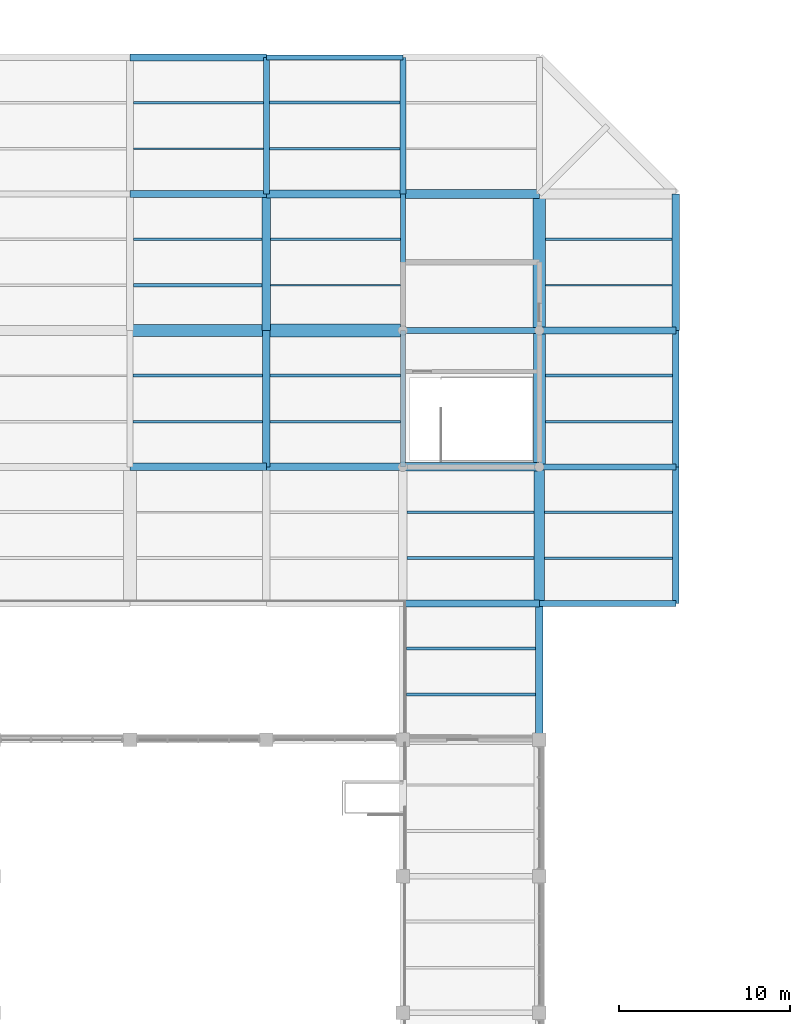
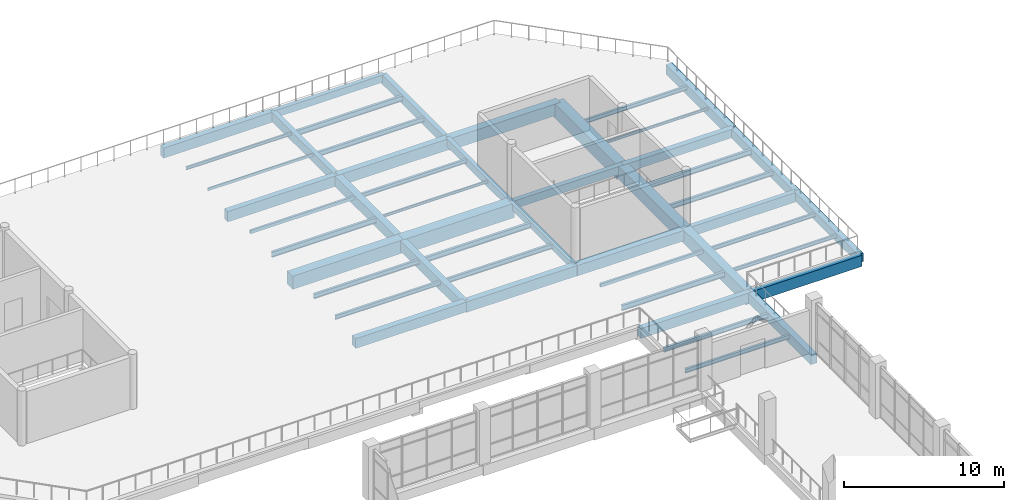
# One storey, part 48 of 84: 50 beams.
"""IFC4 building model written with IfcOpenShell, lengths in metres."""

import ifcopenshell
import ifcopenshell.guid

model = None  # the IFC model being written
_history = None  # IfcOwnerHistory: only IFC2X3 demands one
_inside = {}  # id of a spatial element -> (the spatial element, [elements in it])
_under = {}  # id of a project, library or spatial element -> (it, [spatial elements below it])
_declared = {}  # id of a project -> (the project, [libraries it declares])
_typed = {}  # id of a type object -> (the type object, [elements of that type])
_made_of = {}  # id of a material, layer set ... -> (it, [elements and type objects made of it])


def new_model(schema):
    """Start an empty IFC model of exactly this schema.

    Asked for "IFC4X3", IfcOpenShell would pick the latest addendum, in which some entities
    have other attributes; the version numbers below select the first issue.
    IFC2X3 requires an IfcOwnerHistory on every rooted entity: one is made here for all.
    """
    global model, _history
    if schema == "IFC4X3":
        model = ifcopenshell.file(schema_version=(4, 3, 0, 0))
    else:
        model = ifcopenshell.file(schema=schema)
    _inside.clear()
    _under.clear()
    _declared.clear()
    _typed.clear()
    _made_of.clear()
    _history = None
    if model.schema == "IFC2X3":
        org = make("IfcOrganization", Name="unknown")
        user = make(
            "IfcPersonAndOrganization",
            ThePerson=make("IfcPerson", FamilyName="unknown"),
            TheOrganization=org,
        )
        app = make(
            "IfcApplication",
            ApplicationDeveloper=org,
            Version="unknown",
            ApplicationFullName="unknown",
            ApplicationIdentifier="unknown",
        )
        _history = make(
            "IfcOwnerHistory",
            OwningUser=user,
            OwningApplication=app,
            ChangeAction="ADDED",
            CreationDate=0,
        )
    return model


def make(cls, **values):
    """One entity of the class cls with the attributes given. An attribute that is None is left unset."""
    return model.create_entity(
        cls, **{name: value for name, value in values.items() if value is not None}
    )


def rooted(cls, **values):
    """An entity with a GlobalId (a new one), such as an element, a storey or a relation."""
    return make(cls, GlobalId=ifcopenshell.guid.new(), OwnerHistory=_history, **values)


def si_unit(unit_type, name, prefix=None):
    """IfcSIUnit, for example si_unit("LENGTHUNIT", "METRE", prefix="MILLI")."""
    return make("IfcSIUnit", UnitType=unit_type, Prefix=prefix, Name=name)


def assignment(units):
    """IfcUnitAssignment: the units of a project."""
    return None if units is None else make("IfcUnitAssignment", Units=units)


def point(xyz):
    """IfcCartesianPoint."""
    return None if xyz is None else make("IfcCartesianPoint", Coordinates=xyz)


def direction(xyz):
    """IfcDirection."""
    return None if xyz is None else make("IfcDirection", DirectionRatios=xyz)


def frame(location, z_axis=None, x_axis=None):
    """IfcAxis2Placement3D, a coordinate frame: its origin and axes. An axis left out is left unset."""
    return make(
        "IfcAxis2Placement3D",
        Location=point(location),
        Axis=direction(z_axis),
        RefDirection=direction(x_axis),
    )


def frame_2d(location, x_axis=None):
    """IfcAxis2Placement2D, a coordinate frame in the plane: its origin and x axis."""
    return make(
        "IfcAxis2Placement2D", Location=point(location), RefDirection=direction(x_axis)
    )


def origin():
    """The frame at (0, 0, 0) with its axes left unset."""
    return frame((0.0, 0.0, 0.0))


def origin_2d():
    """The frame at (0, 0) in the plane with its x axis left unset."""
    return frame_2d((0.0, 0.0))


def place(relative_to, where):
    """IfcLocalPlacement: puts the frame where relative to a parent placement (None: the world)."""
    return make(
        "IfcLocalPlacement", PlacementRelTo=relative_to, RelativePlacement=where
    )


def context(
    kind, dimensions, precision=None, world=None, true_north=None, identifier=None
):
    """IfcGeometricRepresentationContext, for example the 3D "Model" context."""
    return make(
        "IfcGeometricRepresentationContext",
        ContextIdentifier=identifier,
        ContextType=kind,
        CoordinateSpaceDimension=dimensions,
        Precision=precision,
        WorldCoordinateSystem=world,
        TrueNorth=true_north,
    )


def subcontext(parent, identifier, kind, view, scale=None):
    """IfcGeometricRepresentationSubContext, for example "Body" below "Model"."""
    return make(
        "IfcGeometricRepresentationSubContext",
        ContextIdentifier=identifier,
        ContextType=kind,
        ParentContext=parent,
        TargetScale=scale,
        TargetView=view,
    )


def project(units=None, contexts=None):
    """IfcProject with its units and contexts."""
    return rooted(
        "IfcProject",
        Name="project",
        RepresentationContexts=contexts,
        UnitsInContext=assignment(units),
    )


def spatial(cls, under=None, at=None, **own):
    """A site, building, storey or space (cls), placed at a placement, below another one or the project."""
    s = rooted(cls, ObjectPlacement=at, **own)
    if under is not None:
        _under.setdefault(under.id(), (under, []))[1].append(s)
    return s


def profile(cls, at=None, kind="AREA", **sizes):
    """A parametric profile (cls). Its sizes go by their IFC names, for example OverallWidth=200.0."""
    return make(cls, ProfileType=kind, Position=at, **sizes)


def rectangle(**sizes):
    """IfcRectangleProfileDef."""
    return profile("IfcRectangleProfileDef", **sizes)


def hollow_rectangle(**sizes):
    """IfcRectangleHollowProfileDef."""
    return profile("IfcRectangleHollowProfileDef", **sizes)


def i_section(**sizes):
    """IfcIShapeProfileDef."""
    return profile("IfcIShapeProfileDef", **sizes)


def extrude(swept, where, along, depth):
    """IfcExtrudedAreaSolid: the profile swept, set in the frame where, extruded along a direction by depth."""
    return make(
        "IfcExtrudedAreaSolid",
        SweptArea=swept,
        Position=where,
        ExtrudedDirection=direction(along),
        Depth=depth,
    )


def shape(context_of_items, identifier, shape_type, items):
    """IfcShapeRepresentation: the items that make up one representation, for example the "Body"."""
    return make(
        "IfcShapeRepresentation",
        ContextOfItems=context_of_items,
        RepresentationIdentifier=identifier,
        RepresentationType=shape_type,
        Items=items,
    )


def material(Name=None, Category=None):
    """IfcMaterial."""
    return make("IfcMaterial", Name=Name, Category=Category)


def material_profile(
    of_material, cross_section, Name=None, Category=None, Priority=None
):
    """IfcMaterialProfile: a cross section and its material."""
    return make(
        "IfcMaterialProfile",
        Name=Name,
        Material=of_material,
        Profile=cross_section,
        Priority=Priority,
        Category=Category,
    )


def profile_set(profiles, Name=None, composite=None):
    """IfcMaterialProfileSet."""
    return make(
        "IfcMaterialProfileSet",
        Name=Name,
        MaterialProfiles=profiles,
        CompositeProfile=composite,
    )


def made_of(thing, what):
    """Note that an element or type object is made of a material, layer set ...; save() writes the relation."""
    if what is not None:
        _made_of.setdefault(what.id(), (what, []))[1].append(thing)
    return thing


def type_object(cls, material=None, **own):
    """A type object (cls), such as IfcWallType, which elements share."""
    return made_of(rooted(cls, **own), material)


def element(
    cls,
    number,
    at=None,
    inside=None,
    cuts=None,
    type_object=None,
    material=None,
    context=None,
    identifier="Body",
    shape_type=None,
    held_by="IfcProductDefinitionShape",
    body=None,
    shapes=None,
    **own,
):
    """One element of the class cls, such as IfcWall. Its Tag is "e" and its number.

    at: its placement. inside: the storey or other place that contains it. cuts: it is an
    opening in that element (IfcRelVoidsElement). A single representation is given by context,
    identifier, shape_type and body (its items); several are given by shapes. held_by: the class
    of the entity that holds the representations. save() writes the other relations.
    """
    e = rooted(cls, Tag="e%d" % number, ObjectPlacement=at, **own)
    if body is not None:
        shapes = [shape(context, identifier, shape_type, body)]
    if shapes is not None:
        e.Representation = make(held_by, Representations=shapes)
    if inside is not None:
        _inside.setdefault(inside.id(), (inside, []))[1].append(e)
    if cuts is not None:
        rooted(
            "IfcRelVoidsElement", RelatingBuildingElement=cuts, RelatedOpeningElement=e
        )
    if type_object is not None:
        _typed.setdefault(type_object.id(), (type_object, []))[1].append(e)
    return made_of(e, material)


def aggregate(whole, parts):
    """IfcRelAggregates: a whole, such as a stair, and the parts it consists of."""
    return rooted("IfcRelAggregates", RelatingObject=whole, RelatedObjects=parts)


def save(model, path):
    """Write the relations noted so far, then the file.

    IfcRelAggregates (storeys below a building ...), IfcRelContainedInSpatialStructure (elements
    in a storey), IfcRelDefinesByType, IfcRelAssociatesMaterial and IfcRelDeclares: one each for
    every whole, place, type object, material and project.
    """
    for whole, parts in _under.values():
        aggregate(whole, parts)
    for where, things in _inside.values():
        rooted(
            "IfcRelContainedInSpatialStructure",
            RelatedElements=things,
            RelatingStructure=where,
        )
    for kind, things in _typed.values():
        rooted("IfcRelDefinesByType", RelatedObjects=things, RelatingType=kind)
    for what, things in _made_of.values():
        rooted("IfcRelAssociatesMaterial", RelatedObjects=things, RelatingMaterial=what)
    for by, libraries in _declared.values():
        rooted("IfcRelDeclares", RelatingContext=by, RelatedDefinitions=libraries)
    model.write(path)


model = new_model("IFC4")

# Units and contexts
model_context = context("Model", 3, precision=1e-05, world=origin(), true_north=direction((0.0, 1.0)))
body_context = subcontext(model_context, "Body", "Model", "MODEL_VIEW")
ifc_project = project(units=[si_unit("LENGTHUNIT", "METRE"), si_unit("AREAUNIT", "SQUARE_METRE"), si_unit("VOLUMEUNIT", "CUBIC_METRE"), si_unit("PLANEANGLEUNIT", "RADIAN"), si_unit("MASSUNIT", "GRAM", prefix="KILO")], contexts=[model_context])

# Site, building, storey
site_placement = place(None, origin())
site = spatial("IfcSite", under=ifc_project, at=site_placement, CompositionType="ELEMENT")
building_placement = place(site_placement, origin())
building = spatial("IfcBuilding", under=site, at=building_placement, Name="Tenunan Teduh Sports Hall", CompositionType="ELEMENT")
storey_placement = place(building_placement, frame((0.0, 0.0, 10.800048828125)))
storey = spatial("IfcBuildingStorey", under=building, at=storey_placement, Name="L02", CompositionType="ELEMENT", Elevation=10.800048828125)

# Beams
ifc_material_1 = material(Name="Concrete C40/50", Category="concrete")
ifc_material_profile_1 = material_profile(ifc_material_1, rectangle(XDim=0.300048828125, YDim=0.5, at=origin_2d()), Name="RCB 300x500")
ifc_profile_set_1 = profile_set([ifc_material_profile_1], Name="Concrete C40/50")
beam_type_1 = type_object("IfcBeamType", Name="BM-RC-300x500", PredefinedType="BEAM", material=ifc_profile_set_1)
beam_1_placement = place(storey_placement, frame((146.0, 94.0, -0.510009765625), z_axis=(0.0, 1.0, 0.0), x_axis=(-1.0, 0.0, 0.0)))
element("IfcBeam", 1, at=beam_1_placement, inside=storey, type_object=beam_type_1, Name="BM-B-01-L02-1658", PredefinedType="BEAM", context=body_context, shape_type="SweptSolid", body=[
    extrude(rectangle(XDim=0.300048828125, YDim=0.5, at=origin_2d()), origin(), (0.0, 0.0, 1.0), 8.0),
])
ifc_material_2 = material(Name="Concrete C40/50", Category="concrete")
ifc_material_profile_2 = material_profile(ifc_material_2, rectangle(XDim=0.300048828125, YDim=0.550048828125, at=origin_2d()), Name="RCB 300x550")
ifc_profile_set_2 = profile_set([ifc_material_profile_2], Name="Concrete C40/50")
beam_type_2 = type_object("IfcBeamType", Name="BM-RC-300x550", PredefinedType="BEAM", material=ifc_profile_set_2)
beam_2_placement = place(storey_placement, frame((138.0, 118.0, -0.53515625), z_axis=(1.0, 0.0, 0.0), x_axis=(0.0, 1.0, 0.0)))
element("IfcBeam", 2, at=beam_2_placement, inside=storey, type_object=beam_type_2, Name="BM-B-02-L02-1569", PredefinedType="BEAM", context=body_context, shape_type="SweptSolid", body=[
    extrude(rectangle(XDim=0.300048828125, YDim=0.550048828125, at=origin_2d()), origin(), (0.0, 0.0, 1.0), 8.0),
])
ifc_material_3 = material(Name="Concrete C40/50", Category="concrete")
ifc_material_profile_3 = material_profile(ifc_material_3, rectangle(XDim=0.300048828125, YDim=0.60009765625, at=origin_2d()), Name="RCB 300x600")
ifc_profile_set_3 = profile_set([ifc_material_profile_3], Name="Concrete C40/50")
beam_type_3 = type_object("IfcBeamType", Name="BM-RC-300x600", PredefinedType="BEAM", material=ifc_profile_set_3)
beam_3_placement = place(storey_placement, frame((146.0, 102.0, -0.56005859375), z_axis=(0.0, 1.0, 0.0), x_axis=(-1.0, 0.0, 0.0)))
element("IfcBeam", 3, at=beam_3_placement, inside=storey, type_object=beam_type_3, Name="BM-B-03-L02-1659", PredefinedType="BEAM", context=body_context, shape_type="SweptSolid", body=[
    extrude(rectangle(XDim=0.300048828125, YDim=0.60009765625, at=origin_2d()), origin(), (0.0, 0.0, 1.0), 8.0),
])
ifc_material_4 = material(Name="Concrete C40/50", Category="concrete")
ifc_material_profile_4 = material_profile(ifc_material_4, rectangle(XDim=0.35009765625, YDim=0.60009765625, at=origin_2d()), Name="RCB 350x600")
ifc_profile_set_4 = profile_set([ifc_material_profile_4], Name="Concrete C40/50")
beam_type_4 = type_object("IfcBeamType", Name="BM-RC-350x600", PredefinedType="BEAM", material=ifc_profile_set_4)
beam_4_placement = place(storey_placement, frame((146.0, 102.0, -0.56005859375), z_axis=(1.0, 0.0, 0.0), x_axis=(0.0, 1.0, 0.0)))
element("IfcBeam", 4, at=beam_4_placement, inside=storey, type_object=beam_type_4, Name="BM-B-04-L02-1539", PredefinedType="BEAM", context=body_context, shape_type="SweptSolid", body=[
    extrude(rectangle(XDim=0.35009765625, YDim=0.60009765625, at=origin_2d()), origin(), (0.0, 0.0, 1.0), 8.0),
])
ifc_material_5 = material(Name="Concrete C40/50", Category="concrete")
ifc_material_profile_5 = material_profile(ifc_material_5, rectangle(XDim=0.35009765625, YDim=0.699951171875, at=origin_2d()), Name="RCB 350x700")
ifc_profile_set_5 = profile_set([ifc_material_profile_5], Name="Concrete C40/50")
beam_type_5 = type_object("IfcBeamType", Name="BM-RC-350x700", PredefinedType="BEAM", material=ifc_profile_set_5)
beam_5_placement = place(storey_placement, frame((146.0, 110.0, -0.610107421875), z_axis=(0.0, 1.0, 0.0), x_axis=(-1.0, 0.0, 0.0)))
element("IfcBeam", 5, at=beam_5_placement, inside=storey, type_object=beam_type_5, Name="BM-B-06-L02-1660", PredefinedType="BEAM", context=body_context, shape_type="SweptSolid", body=[
    extrude(rectangle(XDim=0.35009765625, YDim=0.699951171875, at=origin_2d()), origin(), (0.0, 0.0, 1.0), 8.0),
])
ifc_material_6 = material(Name="Concrete C40/50", Category="concrete")
ifc_material_profile_6 = material_profile(ifc_material_6, rectangle(XDim=0.39990234375, YDim=0.64990234375, at=origin_2d()), Name="RCB 400x650")
ifc_profile_set_6 = profile_set([ifc_material_profile_6], Name="Concrete C40/50")
beam_type_6 = type_object("IfcBeamType", Name="BM-RC-400x650", PredefinedType="BEAM", material=ifc_profile_set_6)
for number, where, z_axis, x_axis, name in (
    (6, (154.0, 102.0, -0.5849609375), (1.0, 0.0, 0.0), (0.0, 1.0, 0.0), "BM-B-07-L02-1540"),
    (7, (162.0, 86.0, -0.5849609375), (0.0, 1.0, 0.0), (-1.0, 0.0, 0.0), "BM-B-07-L02-1669"),
):
    element("IfcBeam", number, at=place(storey_placement, frame(where, z_axis=z_axis, x_axis=x_axis)), inside=storey, type_object=beam_type_6, Name=name, PredefinedType="BEAM", context=body_context, shape_type="SweptSolid", body=[
        extrude(rectangle(XDim=0.39990234375, YDim=0.64990234375, at=origin_2d()), origin(), (0.0, 0.0, 1.0), 8.0),
    ])
ifc_material_7 = material(Name="Concrete C40/50", Category="concrete")
ifc_material_profile_7 = material_profile(ifc_material_7, rectangle(XDim=0.39990234375, YDim=0.699951171875, at=origin_2d()), Name="RCB 400x700")
ifc_profile_set_7 = profile_set([ifc_material_profile_7], Name="Concrete C40/50")
beam_type_7 = type_object("IfcBeamType", Name="BM-RC-400x700", PredefinedType="BEAM", material=ifc_profile_set_7)
beam_6_placement = place(storey_placement, frame((162.0, 94.0, -0.610107421875), z_axis=(0.0, 1.0, 0.0), x_axis=(-1.0, 0.0, 0.0)))
element("IfcBeam", 8, at=beam_6_placement, inside=storey, type_object=beam_type_7, Name="BM-B-08-L02-1670", PredefinedType="BEAM", context=body_context, shape_type="SweptSolid", body=[
    extrude(rectangle(XDim=0.39990234375, YDim=0.699951171875, at=origin_2d()), origin(), (0.0, 0.0, 1.0), 8.0),
])
ifc_material_8 = material(Name="Concrete C40/50", Category="concrete")
ifc_material_profile_8 = material_profile(ifc_material_8, rectangle(XDim=0.39990234375, YDim=0.75, at=origin_2d()), Name="RCB 400x750")
ifc_profile_set_8 = profile_set([ifc_material_profile_8], Name="Concrete C40/50")
beam_type_8 = type_object("IfcBeamType", Name="BM-RC-400x750", PredefinedType="BEAM", material=ifc_profile_set_8)
beam_7_placement = place(storey_placement, frame((146.0, 86.0, -0.635009765625), z_axis=(1.0, 0.0, 0.0), x_axis=(0.0, 1.0, 0.0)))
element("IfcBeam", 9, at=beam_7_placement, inside=storey, type_object=beam_type_8, Name="BM-B-09-L02-1505", PredefinedType="BEAM", context=body_context, shape_type="SweptSolid", body=[
    extrude(rectangle(XDim=0.39990234375, YDim=0.75, at=origin_2d()), origin(), (0.0, 0.0, 1.0), 8.0),
])
ifc_material_9 = material(Name="Concrete C40/50", Category="concrete")
ifc_material_profile_9 = material_profile(ifc_material_9, rectangle(XDim=0.39990234375, YDim=0.800048828125, at=origin_2d()), Name="RCB 400x800")
ifc_profile_set_9 = profile_set([ifc_material_profile_9], Name="Concrete C40/50")
beam_type_9 = type_object("IfcBeamType", Name="BM-RC-400x800", PredefinedType="BEAM", material=ifc_profile_set_9)
beam_8_placement = place(storey_placement, frame((130.0, 110.0, -0.66015625), z_axis=(1.0, 0.0, 0.0), x_axis=(0.0, 1.0, 0.0)))
element("IfcBeam", 10, at=beam_8_placement, inside=storey, type_object=beam_type_9, Name="BM-B-10-L02-1554", PredefinedType="BEAM", context=body_context, shape_type="SweptSolid", body=[
    extrude(rectangle(XDim=0.39990234375, YDim=0.800048828125, at=origin_2d()), origin(), (0.0, 0.0, 1.0), 8.0),
])
ifc_material_10 = material(Name="Concrete C40/50", Category="concrete")
ifc_material_profile_10 = material_profile(ifc_material_10, rectangle(XDim=0.449951171875, YDim=0.75, at=origin_2d()), Name="RCB 450x750")
ifc_profile_set_10 = profile_set([ifc_material_profile_10], Name="Concrete C40/50")
beam_type_10 = type_object("IfcBeamType", Name="BM-RC-450x750", PredefinedType="BEAM", material=ifc_profile_set_10)
for number, where, z_axis, x_axis, name in (
    (11, (154.0, 78.0, -0.635009765625), (0.0, 1.0, 0.0), (-1.0, 0.0, 0.0), "BM-B-11-L02-0614"),
    (12, (130.0, 94.0, -0.635009765625), (1.0, 0.0, 0.0), (0.0, 1.0, 0.0), "BM-B-11-L02-1520"),
    (13, (162.0, 102.0, -0.635009765625), (0.0, 1.0, 0.0), (-1.0, 0.0, 0.0), "BM-B-11-L02-1671"),
):
    element("IfcBeam", number, at=place(storey_placement, frame(where, z_axis=z_axis, x_axis=x_axis)), inside=storey, type_object=beam_type_10, Name=name, PredefinedType="BEAM", context=body_context, shape_type="SweptSolid", body=[
        extrude(rectangle(XDim=0.449951171875, YDim=0.75, at=origin_2d()), origin(), (0.0, 0.0, 1.0), 8.0),
    ])
ifc_material_11 = material(Name="Concrete C40/50", Category="concrete")
ifc_material_profile_11 = material_profile(ifc_material_11, rectangle(XDim=0.449951171875, YDim=0.800048828125, at=origin_2d()), Name="RCB 450x800")
ifc_profile_set_11 = profile_set([ifc_material_profile_11], Name="Concrete C40/50")
beam_type_11 = type_object("IfcBeamType", Name="BM-RC-450x800", PredefinedType="BEAM", material=ifc_profile_set_11)
for number, where, z_axis, x_axis, name in (
    (14, (138.0, 94.0, -0.66015625), (1.0, 0.0, 0.0), (0.0, 1.0, 0.0), "BM-B-12-L02-1521"),
    (15, (138.0, 94.0, -0.66015625), (0.0, 1.0, 0.0), (-1.0, 0.0, 0.0), "BM-B-12-L02-1650"),
):
    element("IfcBeam", number, at=place(storey_placement, frame(where, z_axis=z_axis, x_axis=x_axis)), inside=storey, type_object=beam_type_11, Name=name, PredefinedType="BEAM", context=body_context, shape_type="SweptSolid", body=[
        extrude(rectangle(XDim=0.449951171875, YDim=0.800048828125, at=origin_2d()), origin(), (0.0, 0.0, 1.0), 8.0),
    ])
ifc_material_12 = material(Name="Concrete C40/50", Category="concrete")
ifc_material_profile_12 = material_profile(ifc_material_12, rectangle(XDim=0.449951171875, YDim=0.85009765625, at=origin_2d()), Name="RCB 450x850")
ifc_profile_set_12 = profile_set([ifc_material_profile_12], Name="Concrete C40/50")
beam_type_12 = type_object("IfcBeamType", Name="BM-RC-450x850", PredefinedType="BEAM", material=ifc_profile_set_12)
beam_9_placement = place(storey_placement, frame((138.0, 110.0, -0.68505859375), z_axis=(1.0, 0.0, 0.0), x_axis=(0.0, 1.0, 0.0)))
element("IfcBeam", 16, at=beam_9_placement, inside=storey, type_object=beam_type_12, Name="BM-B-13-L02-1555", PredefinedType="BEAM", context=body_context, shape_type="SweptSolid", body=[
    extrude(rectangle(XDim=0.449951171875, YDim=0.85009765625, at=origin_2d()), origin(), (0.0, 0.0, 1.0), 8.0),
])
ifc_material_13 = material(Name="Concrete C40/50", Category="concrete")
ifc_material_profile_13 = material_profile(ifc_material_13, rectangle(XDim=0.5, YDim=0.800048828125, at=origin_2d()), Name="RCB 500x800")
ifc_profile_set_13 = profile_set([ifc_material_profile_13], Name="Concrete C40/50")
beam_type_13 = type_object("IfcBeamType", Name="BM-RC-500x800", PredefinedType="BEAM", material=ifc_profile_set_13)
for number, where, z_axis, x_axis, name in (
    (17, (146.0, 94.0, -0.66015625), (1.0, 0.0, 0.0), (0.0, 1.0, 0.0), "BM-B-14-L02-1522"),
    (18, (138.0, 102.0, -0.66015625), (0.0, 1.0, 0.0), (-1.0, 0.0, 0.0), "BM-B-14-L02-1651"),
):
    element("IfcBeam", number, at=place(storey_placement, frame(where, z_axis=z_axis, x_axis=x_axis)), inside=storey, type_object=beam_type_13, Name=name, PredefinedType="BEAM", context=body_context, shape_type="SweptSolid", body=[
        extrude(rectangle(XDim=0.5, YDim=0.800048828125, at=origin_2d()), origin(), (0.0, 0.0, 1.0), 8.0),
    ])
ifc_material_14 = material(Name="Concrete C40/50", Category="concrete")
ifc_material_profile_14 = material_profile(ifc_material_14, rectangle(XDim=0.550048828125, YDim=0.89990234375, at=origin_2d()), Name="RCB 550x900")
ifc_profile_set_14 = profile_set([ifc_material_profile_14], Name="Concrete C40/50")
beam_type_14 = type_object("IfcBeamType", Name="BM-RC-550x900", PredefinedType="BEAM", material=ifc_profile_set_14)
beam_10_placement = place(storey_placement, frame((146.0, 110.0, -0.7099609375), z_axis=(1.0, 0.0, 0.0), x_axis=(0.0, 1.0, 0.0)))
element("IfcBeam", 19, at=beam_10_placement, inside=storey, type_object=beam_type_14, Name="BM-B-16-L02-1556", PredefinedType="BEAM", context=body_context, shape_type="SweptSolid", body=[
    extrude(rectangle(XDim=0.550048828125, YDim=0.89990234375, at=origin_2d()), origin(), (0.0, 0.0, 1.0), 8.0),
])
ifc_material_15 = material(Name="Concrete C40/50", Category="concrete")
ifc_material_profile_15 = material_profile(ifc_material_15, rectangle(XDim=0.60009765625, YDim=1.0, at=origin_2d()), Name="RCB 600x1000")
ifc_profile_set_15 = profile_set([ifc_material_profile_15], Name="Concrete C40/50")
beam_type_15 = type_object("IfcBeamType", Name="BM-RC-600x1000", PredefinedType="BEAM", material=ifc_profile_set_15)
beam_11_placement = place(storey_placement, frame((154.0, 86.0, -0.760009765625), z_axis=(0.0, 1.0, 0.0), x_axis=(-1.0, 0.0, 0.0)))
element("IfcBeam", 20, at=beam_11_placement, inside=storey, type_object=beam_type_15, Name="BM-B-18-L02-1665", PredefinedType="BEAM", context=body_context, shape_type="SweptSolid", body=[
    extrude(rectangle(XDim=0.60009765625, YDim=1.0, at=origin_2d()), origin(), (0.0, 0.0, 1.0), 8.0),
])
ifc_material_16 = material(Name="Concrete C40/50", Category="concrete")
ifc_material_profile_16 = material_profile(ifc_material_16, rectangle(XDim=0.699951171875, YDim=1.0, at=origin_2d()), Name="RCB 700x1000")
ifc_profile_set_16 = profile_set([ifc_material_profile_16], Name="Concrete C40/50")
beam_type_16 = type_object("IfcBeamType", Name="BM-RC-700x1000", PredefinedType="SPANDREL", material=ifc_profile_set_16)
for number, where, z_axis, x_axis, name in (
    (21, (130.0, 102.0, -0.760009765625), (1.0, 0.0, 0.0), (0.0, 1.0, 0.0), "BM-B-19-L02-1537"),
    (22, (154.0, 94.0, -0.760009765625), (0.0, 1.0, 0.0), (-1.0, 0.0, 0.0), "BM-B-19-L02-1666"),
):
    element("IfcBeam", number, at=place(storey_placement, frame(where, z_axis=z_axis, x_axis=x_axis)), inside=storey, type_object=beam_type_16, Name=name, PredefinedType="SPANDREL", context=body_context, shape_type="SweptSolid", body=[
        extrude(rectangle(XDim=0.699951171875, YDim=1.0, at=origin_2d()), origin(), (0.0, 0.0, 1.0), 8.0),
    ])
ifc_material_17 = material(Name="Concrete C40/50", Category="concrete")
ifc_material_profile_17 = material_profile(ifc_material_17, rectangle(XDim=0.75, YDim=1.10009765625, at=origin_2d()), Name="RCB 750x1100")
ifc_profile_set_17 = profile_set([ifc_material_profile_17], Name="Concrete C40/50")
beam_type_17 = type_object("IfcBeamType", Name="BM-RC-750x1100", PredefinedType="SPANDREL", material=ifc_profile_set_17)
for number, where, z_axis, x_axis, name in (
    (23, (138.0, 102.0, -0.81005859375), (1.0, 0.0, 0.0), (0.0, 1.0, 0.0), "BM-B-20-L02-1538"),
    (24, (154.0, 102.0, -0.81005859375), (0.0, 1.0, 0.0), (-1.0, 0.0, 0.0), "BM-B-20-L02-1667"),
):
    element("IfcBeam", number, at=place(storey_placement, frame(where, z_axis=z_axis, x_axis=x_axis)), inside=storey, type_object=beam_type_17, Name=name, PredefinedType="SPANDREL", context=body_context, shape_type="SweptSolid", body=[
        extrude(rectangle(XDim=0.75, YDim=1.10009765625, at=origin_2d()), origin(), (0.0, 0.0, 1.0), 8.0),
    ])
ifc_material_18 = material(Name="Concrete C40/50", Category="concrete")
ifc_material_profile_18 = material_profile(ifc_material_18, rectangle(XDim=0.35009765625, YDim=0.85009765625, at=origin_2d()), Name="SPB 350x850")
ifc_profile_set_18 = profile_set([ifc_material_profile_18], Name="Concrete C40/50")
beam_type_18 = type_object("IfcBeamType", Name="BM-SP-350x850", PredefinedType="SPANDREL", material=ifc_profile_set_18)
beam_12_placement = place(storey_placement, frame((154.0, 86.0, -0.68505859375), z_axis=(1.0, 0.0, 0.0), x_axis=(0.0, 1.0, 0.0)))
element("IfcBeam", 25, at=beam_12_placement, inside=storey, type_object=beam_type_18, Name="BM-SP-02-L02-1506", PredefinedType="SPANDREL", context=body_context, shape_type="SweptSolid", body=[
    extrude(rectangle(XDim=0.35009765625, YDim=0.85009765625, at=origin_2d()), origin(), (0.0, 0.0, 1.0), 8.0),
])
ifc_material_19 = material(Name="Concrete C40/50", Category="concrete")
ifc_material_profile_19 = material_profile(ifc_material_19, rectangle(XDim=0.35009765625, YDim=0.719970703125, at=origin_2d()), Name="TB 350x720")
ifc_profile_set_19 = profile_set([ifc_material_profile_19], Name="Concrete C40/50")
beam_type_19 = type_object("IfcBeamType", Name="BM-TB-350x720", PredefinedType="T_BEAM", material=ifc_profile_set_19)
for number, where, z_axis, x_axis, name in (
    (26, (154.0, 94.0, -0.6201171875), (1.0, 0.0, 0.0), (0.0, 1.0, 0.0), "BM-TB-01-L02-1523"),
    (27, (138.0, 110.0, -0.6201171875), (0.0, 1.0, 0.0), (-1.0, 0.0, 0.0), "BM-TB-01-L02-1652"),
):
    element("IfcBeam", number, at=place(storey_placement, frame(where, z_axis=z_axis, x_axis=x_axis)), inside=storey, type_object=beam_type_19, Name=name, PredefinedType="T_BEAM", context=body_context, shape_type="SweptSolid", body=[
        extrude(rectangle(XDim=0.35009765625, YDim=0.719970703125, at=origin_2d()), origin(), (0.0, 0.0, 1.0), 8.0),
    ])
ifc_material_20 = material(Name="Concrete C40/50", Category="concrete")
ifc_material_profile_20 = material_profile(ifc_material_20, rectangle(XDim=0.39990234375, YDim=0.780029296875, at=origin_2d()), Name="TB 400x780")
ifc_profile_set_20 = profile_set([ifc_material_profile_20], Name="Concrete C40/50")
beam_type_20 = type_object("IfcBeamType", Name="BM-TB-400x780", PredefinedType="T_BEAM", material=ifc_profile_set_20)
beam_13_placement = place(storey_placement, frame((130.0, 118.0, -0.650146484375), z_axis=(1.0, 0.0, 0.0), x_axis=(0.0, 1.0, 0.0)))
element("IfcBeam", 28, at=beam_13_placement, inside=storey, type_object=beam_type_20, Name="BM-TB-02-L02-1568", PredefinedType="T_BEAM", context=body_context, shape_type="SweptSolid", body=[
    extrude(rectangle(XDim=0.39990234375, YDim=0.780029296875, at=origin_2d()), origin(), (0.0, 0.0, 1.0), 8.0),
])
ifc_material_21 = material(Name="Steel S355", Category="steel")
ifc_material_profile_21 = material_profile(ifc_material_21, i_section(OverallWidth=0.10009765625, OverallDepth=0.199951171875, WebThickness=0.005615234375, FlangeThickness=0.008544921875, FilletRadius=0.011962890625, at=origin_2d()), Name="IPE 200")
ifc_profile_set_21 = profile_set([ifc_material_profile_21], Name="Steel S355")
beam_type_21 = type_object("IfcBeamType", Name="JST-IPE200", PredefinedType="JOIST", material=ifc_profile_set_21)
beam_14_placement = place(storey_placement, frame((138.25, 104.64990234375, -0.360107421875), z_axis=(1.0, 0.0, 0.0), x_axis=(0.0, 1.0, 0.0)))
element("IfcBeam", 29, at=beam_14_placement, inside=storey, type_object=beam_type_21, Name="BM-J-01-L02-1786", PredefinedType="JOIST", context=body_context, shape_type="SweptSolid", body=[
    extrude(i_section(OverallWidth=0.10009765625, OverallDepth=0.199951171875, WebThickness=0.005615234375, FlangeThickness=0.008544921875, FilletRadius=0.011962890625, at=origin_2d()), origin(), (0.0, 0.0, 1.0), 7.60009765625),
])
beam_15_placement = place(storey_placement, frame((154.375, 104.64990234375, -0.360107421875), z_axis=(1.0, 0.0, 0.0), x_axis=(0.0, 1.0, 0.0)))
element("IfcBeam", 30, at=beam_15_placement, inside=storey, type_object=beam_type_21, Name="BM-J-01-L02-1808", PredefinedType="JOIST", context=body_context, shape_type="SweptSolid", body=[
    extrude(i_section(OverallWidth=0.10009765625, OverallDepth=0.199951171875, WebThickness=0.005615234375, FlangeThickness=0.008544921875, FilletRadius=0.011962890625, at=origin_2d()), origin(), (0.0, 0.0, 1.0), 7.39990234375),
])
ifc_material_22 = material(Name="Steel S355", Category="steel")
ifc_material_profile_22 = material_profile(ifc_material_22, i_section(OverallWidth=0.1201171875, OverallDepth=0.239990234375, WebThickness=0.006103515625, FlangeThickness=0.009765625, FilletRadius=0.014892578125, at=origin_2d()), Name="IPE 240")
ifc_profile_set_22 = profile_set([ifc_material_profile_22], Name="Steel S355")
beam_type_22 = type_object("IfcBeamType", Name="JST-IPE240", PredefinedType="JOIST", material=ifc_profile_set_22)
beam_16_placement = place(storey_placement, frame((130.199951171875, 115.35009765625, -0.380126953125), z_axis=(1.0, 0.0, 0.0), x_axis=(0.0, 1.0, 0.0)))
element("IfcBeam", 31, at=beam_16_placement, inside=storey, type_object=beam_type_22, Name="BM-J-02-L02-1781", PredefinedType="JOIST", context=body_context, shape_type="SweptSolid", body=[
    extrude(i_section(OverallWidth=0.1201171875, OverallDepth=0.239990234375, WebThickness=0.006103515625, FlangeThickness=0.009765625, FilletRadius=0.014892578125, at=origin_2d()), origin(), (0.0, 0.0, 1.0), 7.625),
])
ifc_material_23 = material(Name="Steel S355", Category="steel")
ifc_material_profile_23 = material_profile(ifc_material_23, i_section(OverallWidth=0.135009765625, OverallDepth=0.27001953125, WebThickness=0.006591796875, FlangeThickness=0.01025390625, FilletRadius=0.014892578125, at=origin_2d()), Name="IPE 270")
ifc_profile_set_23 = profile_set([ifc_material_profile_23], Name="Steel S355")
beam_type_23 = type_object("IfcBeamType", Name="JST-IPE270", PredefinedType="JOIST", material=ifc_profile_set_23)
beam_17_placement = place(storey_placement, frame((154.300048828125, 88.64990234375, -0.39501953125), z_axis=(1.0, 0.0, 0.0), x_axis=(0.0, 1.0, 0.0)))
element("IfcBeam", 32, at=beam_17_placement, inside=storey, type_object=beam_type_23, Name="BM-J-03-L02-1804", PredefinedType="JOIST", context=body_context, shape_type="SweptSolid", body=[
    extrude(i_section(OverallWidth=0.135009765625, OverallDepth=0.27001953125, WebThickness=0.006591796875, FlangeThickness=0.01025390625, FilletRadius=0.014892578125, at=origin_2d()), origin(), (0.0, 0.0, 1.0), 7.5),
])
ifc_material_24 = material(Name="Steel S355", Category="steel")
ifc_material_profile_24 = material_profile(ifc_material_24, i_section(OverallWidth=0.14990234375, OverallDepth=0.300048828125, WebThickness=0.007080078125, FlangeThickness=0.0107421875, FilletRadius=0.014892578125, at=origin_2d()), Name="IPE 300")
ifc_profile_set_24 = profile_set([ifc_material_profile_24], Name="Steel S355")
beam_type_24 = type_object("IfcBeamType", Name="JST-IPE300", PredefinedType="JOIST", material=ifc_profile_set_24)
beam_18_placement = place(storey_placement, frame((154.300048828125, 91.35009765625, -0.41015625), z_axis=(1.0, 0.0, 0.0), x_axis=(0.0, 1.0, 0.0)))
element("IfcBeam", 33, at=beam_18_placement, inside=storey, type_object=beam_type_24, Name="BM-J-04-L02-1805", PredefinedType="JOIST", context=body_context, shape_type="SweptSolid", body=[
    extrude(i_section(OverallWidth=0.14990234375, OverallDepth=0.300048828125, WebThickness=0.007080078125, FlangeThickness=0.0107421875, FilletRadius=0.014892578125, at=origin_2d()), origin(), (0.0, 0.0, 1.0), 7.5),
])
ifc_material_25 = material(Name="Steel S355", Category="steel")
ifc_material_profile_25 = material_profile(ifc_material_25, i_section(OverallWidth=0.169921875, OverallDepth=0.360107421875, WebThickness=0.008056640625, FlangeThickness=0.0126953125, FilletRadius=0.01806640625, at=origin_2d()), Name="IPE 360")
ifc_profile_set_25 = profile_set([ifc_material_profile_25], Name="Steel S355")
beam_type_25 = type_object("IfcBeamType", Name="JST-IPE360", PredefinedType="JOIST", material=ifc_profile_set_25)
beam_19_placement = place(storey_placement, frame((138.22509765625, 96.64990234375, -0.43994140625), z_axis=(1.0, 0.0, 0.0), x_axis=(0.0, 1.0, 0.0)))
element("IfcBeam", 34, at=beam_19_placement, inside=storey, type_object=beam_type_25, Name="BM-J-05-L02-1784", PredefinedType="JOIST", context=body_context, shape_type="SweptSolid", body=[
    extrude(i_section(OverallWidth=0.169921875, OverallDepth=0.360107421875, WebThickness=0.008056640625, FlangeThickness=0.0126953125, FilletRadius=0.01806640625, at=origin_2d()), origin(), (0.0, 0.0, 1.0), 7.625),
])
beam_20_placement = place(storey_placement, frame((154.35009765625, 96.64990234375, -0.43994140625), z_axis=(1.0, 0.0, 0.0), x_axis=(0.0, 1.0, 0.0)))
element("IfcBeam", 35, at=beam_20_placement, inside=storey, type_object=beam_type_25, Name="BM-J-05-L02-1806", PredefinedType="JOIST", context=body_context, shape_type="SweptSolid", body=[
    extrude(i_section(OverallWidth=0.169921875, OverallDepth=0.360107421875, WebThickness=0.008056640625, FlangeThickness=0.0126953125, FilletRadius=0.01806640625, at=origin_2d()), origin(), (0.0, 0.0, 1.0), 7.449951171875),
])
ifc_material_26 = material(Name="Steel S355", Category="steel")
ifc_material_profile_26 = material_profile(ifc_material_26, i_section(OverallWidth=0.179931640625, OverallDepth=0.39990234375, WebThickness=0.008544921875, FlangeThickness=0.013427734375, FilletRadius=0.02099609375, at=origin_2d()), Name="IPE 400")
ifc_profile_set_26 = profile_set([ifc_material_profile_26], Name="Steel S355")
beam_type_26 = type_object("IfcBeamType", Name="JST-IPE400", PredefinedType="JOIST", material=ifc_profile_set_26)
beam_21_placement = place(storey_placement, frame((138.22509765625, 99.35009765625, -0.4599609375), z_axis=(1.0, 0.0, 0.0), x_axis=(0.0, 1.0, 0.0)))
element("IfcBeam", 36, at=beam_21_placement, inside=storey, type_object=beam_type_26, Name="BM-J-06-L02-1785", PredefinedType="JOIST", context=body_context, shape_type="SweptSolid", body=[
    extrude(i_section(OverallWidth=0.179931640625, OverallDepth=0.39990234375, WebThickness=0.008544921875, FlangeThickness=0.013427734375, FilletRadius=0.02099609375, at=origin_2d()), origin(), (0.0, 0.0, 1.0), 7.625),
])
beam_22_placement = place(storey_placement, frame((154.35009765625, 99.35009765625, -0.4599609375), z_axis=(1.0, 0.0, 0.0), x_axis=(0.0, 1.0, 0.0)))
element("IfcBeam", 37, at=beam_22_placement, inside=storey, type_object=beam_type_26, Name="BM-J-06-L02-1807", PredefinedType="JOIST", context=body_context, shape_type="SweptSolid", body=[
    extrude(i_section(OverallWidth=0.179931640625, OverallDepth=0.39990234375, WebThickness=0.008544921875, FlangeThickness=0.013427734375, FilletRadius=0.02099609375, at=origin_2d()), origin(), (0.0, 0.0, 1.0), 7.449951171875),
])
ifc_material_27 = material(Name="Steel S355", Category="steel")
ifc_material_profile_27 = material_profile(ifc_material_27, hollow_rectangle(XDim=0.10009765625, YDim=0.199951171875, WallThickness=0.008056640625, at=origin_2d()), Name="RHS 200x100x8.0")
ifc_profile_set_27 = profile_set([ifc_material_profile_27], Name="Steel S355")
beam_type_27 = type_object("IfcBeamType", Name="RBM-RHS200", PredefinedType="JOIST", material=ifc_profile_set_27)
beam_23_placement = place(storey_placement, frame((130.199951171875, 112.64990234375, -0.360107421875), z_axis=(1.0, 0.0, 0.0), x_axis=(0.0, 1.0, 0.0)))
element("IfcBeam", 38, at=beam_23_placement, inside=storey, type_object=beam_type_27, Name="Perimeter Ring Beam BM-RB-05-L02-1780", PredefinedType="JOIST", context=body_context, shape_type="SweptSolid", body=[
    extrude(hollow_rectangle(XDim=0.10009765625, YDim=0.199951171875, WallThickness=0.008056640625, at=origin_2d()), origin(), (0.0, 0.0, 1.0), 7.625),
])
ifc_material_28 = material(Name="Steel S355", Category="steel")
ifc_material_profile_28 = material_profile(ifc_material_28, hollow_rectangle(XDim=0.14990234375, YDim=0.25, WallThickness=0.010009765625, at=origin_2d()), Name="RHS 250x150x10.0")
ifc_profile_set_28 = profile_set([ifc_material_profile_28], Name="Steel S355")
beam_type_28 = type_object("IfcBeamType", Name="RBM-RHS250", PredefinedType="BEAM", material=ifc_profile_set_28)
beam_24_placement = place(storey_placement, frame((130.199951171875, 107.35009765625, -0.385009765625), z_axis=(1.0, 0.0, 0.0), x_axis=(0.0, 1.0, 0.0)))
element("IfcBeam", 39, at=beam_24_placement, inside=storey, type_object=beam_type_28, Name="Perimeter Ring Beam BM-RB-04-L02-1779", PredefinedType="BEAM", context=body_context, shape_type="SweptSolid", body=[
    extrude(hollow_rectangle(XDim=0.14990234375, YDim=0.25, WallThickness=0.010009765625, at=origin_2d()), origin(), (0.0, 0.0, 1.0), 7.550048828125),
])
beam_25_placement = place(storey_placement, frame((146.25, 91.35009765625, -0.385009765625), z_axis=(1.0, 0.0, 0.0), x_axis=(0.0, 1.0, 0.0)))
element("IfcBeam", 40, at=beam_25_placement, inside=storey, type_object=beam_type_28, Name="Perimeter Ring Beam BM-RB-04-L02-1801", PredefinedType="BEAM", context=body_context, shape_type="SweptSolid", body=[
    extrude(hollow_rectangle(XDim=0.14990234375, YDim=0.25, WallThickness=0.010009765625, at=origin_2d()), origin(), (0.0, 0.0, 1.0), 7.449951171875),
])
ifc_material_29 = material(Name="Steel S355", Category="steel")
ifc_material_profile_29 = material_profile(ifc_material_29, i_section(OverallWidth=0.1650390625, OverallDepth=0.303466796875, WebThickness=0.006103515625, FlangeThickness=0.01025390625, FilletRadius=0.0087890625, at=origin_2d()), Name="UKB 305x165x40")
ifc_profile_set_29 = profile_set([ifc_material_profile_29], Name="Steel S355")
beam_type_29 = type_object("IfcBeamType", Name="SBM-UKB305", PredefinedType="BEAM", material=ifc_profile_set_29)
beam_26_placement = place(storey_placement, frame((130.175048828125, 96.64990234375, -0.411865234375), z_axis=(1.0, 0.0, 0.0), x_axis=(0.0, 1.0, 0.0)))
element("IfcBeam", 41, at=beam_26_placement, inside=storey, type_object=beam_type_29, Name="BM-SB-01-L02-1776", PredefinedType="BEAM", context=body_context, shape_type="SweptSolid", body=[
    extrude(i_section(OverallWidth=0.1650390625, OverallDepth=0.303466796875, WebThickness=0.006103515625, FlangeThickness=0.01025390625, FilletRadius=0.0087890625, at=origin_2d()), origin(), (0.0, 0.0, 1.0), 7.599853515625),
])
beam_27_placement = place(storey_placement, frame((138.25, 107.35009765625, -0.411865234375), z_axis=(1.0, 0.0, 0.0), x_axis=(0.0, 1.0, 0.0)))
element("IfcBeam", 42, at=beam_27_placement, inside=storey, type_object=beam_type_29, Name="BM-SB-01-L02-1787", PredefinedType="BEAM", context=body_context, shape_type="SweptSolid", body=[
    extrude(i_section(OverallWidth=0.1650390625, OverallDepth=0.303466796875, WebThickness=0.006103515625, FlangeThickness=0.01025390625, FilletRadius=0.0087890625, at=origin_2d()), origin(), (0.0, 0.0, 1.0), 7.60009765625),
])
beam_28_placement = place(storey_placement, frame((146.22509765625, 80.64990234375, -0.411865234375), z_axis=(1.0, 0.0, 0.0), x_axis=(0.0, 1.0, 0.0)))
element("IfcBeam", 43, at=beam_28_placement, inside=storey, type_object=beam_type_29, Name="BM-SB-01-L02-1798", PredefinedType="BEAM", context=body_context, shape_type="SweptSolid", body=[
    extrude(i_section(OverallWidth=0.1650390625, OverallDepth=0.303466796875, WebThickness=0.006103515625, FlangeThickness=0.01025390625, FilletRadius=0.0087890625, at=origin_2d()), origin(), (0.0, 0.0, 1.0), 7.5498046875),
])
beam_29_placement = place(storey_placement, frame((154.375, 107.35009765625, -0.411865234375), z_axis=(1.0, 0.0, 0.0), x_axis=(0.0, 1.0, 0.0)))
element("IfcBeam", 44, at=beam_29_placement, inside=storey, type_object=beam_type_29, Name="BM-SB-01-L02-1809", PredefinedType="BEAM", context=body_context, shape_type="SweptSolid", body=[
    extrude(i_section(OverallWidth=0.1650390625, OverallDepth=0.303466796875, WebThickness=0.006103515625, FlangeThickness=0.01025390625, FilletRadius=0.0087890625, at=origin_2d()), origin(), (0.0, 0.0, 1.0), 7.39990234375),
])
ifc_material_30 = material(Name="Steel S355", Category="steel")
ifc_material_profile_30 = material_profile(ifc_material_30, i_section(OverallWidth=0.17138671875, OverallDepth=0.35498046875, WebThickness=0.00732421875, FlangeThickness=0.011474609375, FilletRadius=0.01025390625, at=origin_2d()), Name="UKB 356x171x51")
ifc_profile_set_30 = profile_set([ifc_material_profile_30], Name="Steel S355")
beam_type_30 = type_object("IfcBeamType", Name="SBM-UKB356", PredefinedType="BEAM", material=ifc_profile_set_30)
beam_30_placement = place(storey_placement, frame((130.175048828125, 99.35009765625, -0.4375), z_axis=(1.0, 0.0, 0.0), x_axis=(0.0, 1.0, 0.0)))
element("IfcBeam", 45, at=beam_30_placement, inside=storey, type_object=beam_type_30, Name="BM-SB-02-L02-1777", PredefinedType="BEAM", context=body_context, shape_type="SweptSolid", body=[
    extrude(i_section(OverallWidth=0.17138671875, OverallDepth=0.35498046875, WebThickness=0.00732421875, FlangeThickness=0.011474609375, FilletRadius=0.01025390625, at=origin_2d()), origin(), (0.0, 0.0, 1.0), 7.599853515625),
])
beam_31_placement = place(storey_placement, frame((138.175048828125, 112.64990234375, -0.4375), z_axis=(1.0, 0.0, 0.0), x_axis=(0.0, 1.0, 0.0)))
element("IfcBeam", 46, at=beam_31_placement, inside=storey, type_object=beam_type_30, Name="BM-SB-02-L02-1788", PredefinedType="BEAM", context=body_context, shape_type="SweptSolid", body=[
    extrude(i_section(OverallWidth=0.17138671875, OverallDepth=0.35498046875, WebThickness=0.00732421875, FlangeThickness=0.011474609375, FilletRadius=0.01025390625, at=origin_2d()), origin(), (0.0, 0.0, 1.0), 7.64990234375),
])
beam_32_placement = place(storey_placement, frame((146.22509765625, 83.35009765625, -0.4375), z_axis=(1.0, 0.0, 0.0), x_axis=(0.0, 1.0, 0.0)))
element("IfcBeam", 47, at=beam_32_placement, inside=storey, type_object=beam_type_30, Name="BM-SB-02-L02-1799", PredefinedType="BEAM", context=body_context, shape_type="SweptSolid", body=[
    extrude(i_section(OverallWidth=0.17138671875, OverallDepth=0.35498046875, WebThickness=0.00732421875, FlangeThickness=0.011474609375, FilletRadius=0.01025390625, at=origin_2d()), origin(), (0.0, 0.0, 1.0), 7.5498046875),
])
ifc_material_31 = material(Name="Steel S355", Category="steel")
ifc_material_profile_31 = material_profile(ifc_material_31, i_section(OverallWidth=0.177978515625, OverallDepth=0.406494140625, WebThickness=0.0078125, FlangeThickness=0.0126953125, FilletRadius=0.01025390625, at=origin_2d()), Name="UKB 406x178x60")
ifc_profile_set_31 = profile_set([ifc_material_profile_31], Name="Steel S355")
beam_type_31 = type_object("IfcBeamType", Name="SBM-UKB406", PredefinedType="BEAM", material=ifc_profile_set_31)
beam_33_placement = place(storey_placement, frame((130.199951171875, 104.64990234375, -0.463134765625), z_axis=(1.0, 0.0, 0.0), x_axis=(0.0, 1.0, 0.0)))
element("IfcBeam", 48, at=beam_33_placement, inside=storey, type_object=beam_type_31, Name="BM-SB-03-L02-1778", PredefinedType="BEAM", context=body_context, shape_type="SweptSolid", body=[
    extrude(i_section(OverallWidth=0.177978515625, OverallDepth=0.406494140625, WebThickness=0.0078125, FlangeThickness=0.0126953125, FilletRadius=0.01025390625, at=origin_2d()), origin(), (0.0, 0.0, 1.0), 7.550048828125),
])
beam_34_placement = place(storey_placement, frame((138.175048828125, 115.35009765625, -0.463134765625), z_axis=(1.0, 0.0, 0.0), x_axis=(0.0, 1.0, 0.0)))
element("IfcBeam", 49, at=beam_34_placement, inside=storey, type_object=beam_type_31, Name="BM-SB-03-L02-1789", PredefinedType="BEAM", context=body_context, shape_type="SweptSolid", body=[
    extrude(i_section(OverallWidth=0.177978515625, OverallDepth=0.406494140625, WebThickness=0.0078125, FlangeThickness=0.0126953125, FilletRadius=0.01025390625, at=origin_2d()), origin(), (0.0, 0.0, 1.0), 7.64990234375),
])
beam_35_placement = place(storey_placement, frame((146.25, 88.64990234375, -0.463134765625), z_axis=(1.0, 0.0, 0.0), x_axis=(0.0, 1.0, 0.0)))
element("IfcBeam", 50, at=beam_35_placement, inside=storey, type_object=beam_type_31, Name="BM-SB-03-L02-1800", PredefinedType="BEAM", context=body_context, shape_type="SweptSolid", body=[
    extrude(i_section(OverallWidth=0.177978515625, OverallDepth=0.406494140625, WebThickness=0.0078125, FlangeThickness=0.0126953125, FilletRadius=0.01025390625, at=origin_2d()), origin(), (0.0, 0.0, 1.0), 7.449951171875),
])

save(model, "model.ifc")
